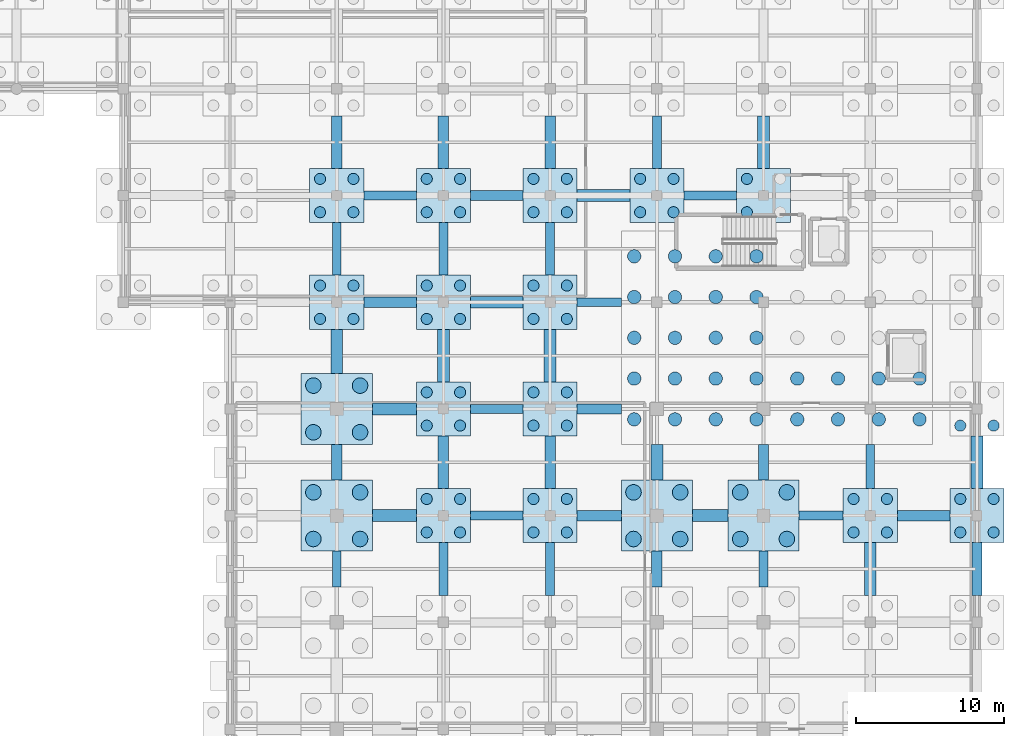
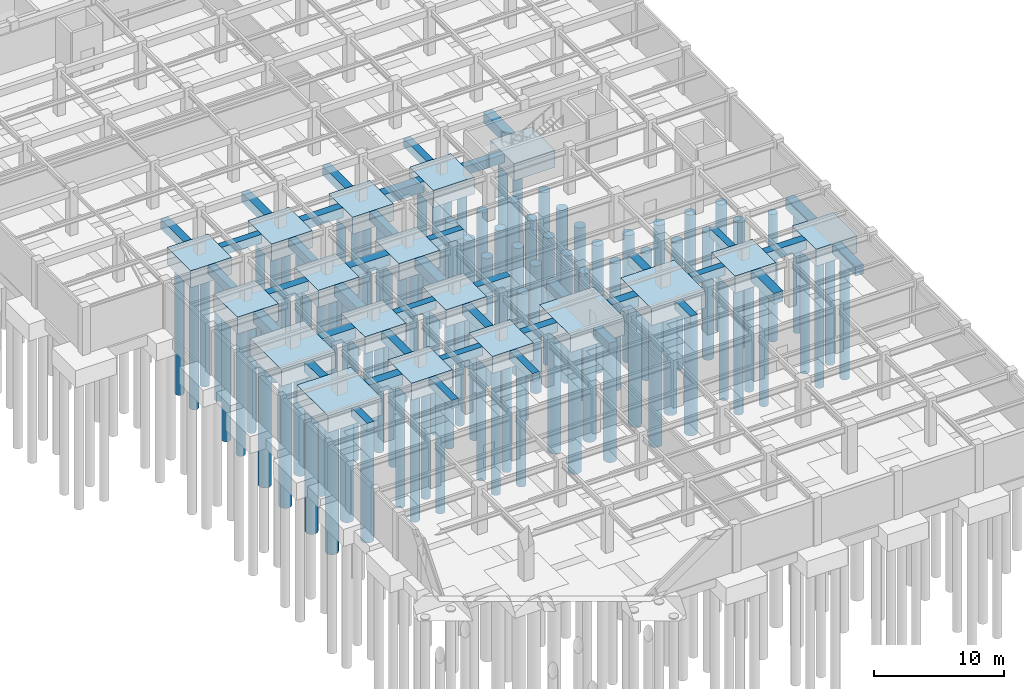
# One storey, part 10 of 48: 100 piles, 59 footings.
"""IFC4 building model written with IfcOpenShell, lengths in metres."""

from ifc_helpers import new_model, si_unit, direction, frame, origin, origin_2d, place, context, subcontext, project, spatial, rectangle, circle, extrude, material, material_profile, profile_set, type_object, element, save


model = new_model("IFC4")

# Units and contexts
model_context = context("Model", 3, precision=1e-05, world=origin(), true_north=direction((0.0, 1.0)))
body_context = subcontext(model_context, "Body", "Model", "MODEL_VIEW")
ifc_project = project(units=[si_unit("LENGTHUNIT", "METRE"), si_unit("AREAUNIT", "SQUARE_METRE"), si_unit("VOLUMEUNIT", "CUBIC_METRE"), si_unit("PLANEANGLEUNIT", "RADIAN"), si_unit("MASSUNIT", "GRAM", prefix="KILO")], contexts=[model_context])

# Site, building, storey
site_placement = place(None, origin())
site = spatial("IfcSite", under=ifc_project, at=site_placement, CompositionType="ELEMENT")
building_placement = place(site_placement, origin())
building = spatial("IfcBuilding", under=site, at=building_placement, Name="Carrowvane Square Congress Hotel", CompositionType="ELEMENT")
storey_placement = place(building_placement, frame((0.0, 0.0, -4.5)))
storey = spatial("IfcBuildingStorey", under=building, at=storey_placement, Name="B01", CompositionType="ELEMENT", Elevation=-4.5)

# Footings
ifc_material_1 = material(Name="Concrete C35/45", Category="concrete")
ifc_material_profile_1 = material_profile(ifc_material_1, rectangle(XDim=0.60009765625, YDim=0.800048828125, at=origin_2d()), Name="RC 600x800")
ifc_profile_set_1 = profile_set([ifc_material_profile_1], Name="Concrete C35/45")
footing_type_1 = type_object("IfcFootingType", Name="FTG-BM-600x800", PredefinedType="FOOTING_BEAM", material=ifc_profile_set_1)
footing_1_placement = place(storey_placement, frame((141.199951171875, 36.60009765625, -0.39990234375), z_axis=(0.0, 1.0, 0.0), x_axis=(-1.0, 0.0, 0.0)))
element("IfcFooting", 1, at=footing_1_placement, inside=storey, type_object=footing_type_1, Name="Ground tie beam 160", PredefinedType="FOOTING_BEAM", context=body_context, shape_type="SweptSolid", body=[
    extrude(rectangle(XDim=0.60009765625, YDim=0.800048828125, at=origin_2d()), origin(), (0.0, 0.0, 1.0), 2.39990234375),
])
for number, where, z_axis, x_axis, name in (
    (2, (141.199951171875, 57.625, -0.39990234375), (0.0, 1.0, 0.0), (-1.0, 0.0, 0.0), "Ground tie beam 163"),
    (3, (148.39990234375, 36.02490234375, -0.39990234375), (0.0, 1.0, 0.0), (-1.0, 0.0, 0.0), "Ground tie beam 174"),
    (4, (148.39990234375, 57.625, -0.39990234375), (0.0, 1.0, 0.0), (-1.0, 0.0, 0.0), "Ground tie beam 177"),
    (5, (155.60009765625, 36.02490234375, -0.39990234375), (0.0, 1.0, 0.0), (-1.0, 0.0, 0.0), "Ground tie beam 188"),
    (6, (155.60009765625, 57.625, -0.39990234375), (0.0, 1.0, 0.0), (-1.0, 0.0, 0.0), "Ground tie beam 191"),
    (7, (162.800048828125, 64.824951171875, -0.39990234375), (0.0, 1.0, 0.0), (-1.0, 0.0, 0.0), "Ground tie beam 205"),
):
    element("IfcFooting", number, at=place(storey_placement, frame(where, z_axis=z_axis, x_axis=x_axis)), inside=storey, type_object=footing_type_1, Name=name, PredefinedType="FOOTING_BEAM", context=body_context, shape_type="SweptSolid", body=[
        extrude(rectangle(XDim=0.60009765625, YDim=0.800048828125, at=origin_2d()), origin(), (0.0, 0.0, 1.0), 3.550048828125),
    ])
footing_2_placement = place(storey_placement, frame((170.0, 36.60009765625, -0.39990234375), z_axis=(0.0, 1.0, 0.0), x_axis=(-1.0, 0.0, 0.0)))
element("IfcFooting", 8, at=footing_2_placement, inside=storey, type_object=footing_type_1, Name="Ground tie beam 216", PredefinedType="FOOTING_BEAM", context=body_context, shape_type="SweptSolid", body=[
    extrude(rectangle(XDim=0.60009765625, YDim=0.800048828125, at=origin_2d()), origin(), (0.0, 0.0, 1.0), 2.39990234375),
])
footing_3_placement = place(storey_placement, frame((177.199951171875, 43.22509765625, -0.39990234375), z_axis=(0.0, 1.0, 0.0), x_axis=(-1.0, 0.0, 0.0)))
element("IfcFooting", 9, at=footing_3_placement, inside=storey, type_object=footing_type_1, Name="Ground tie beam 227", PredefinedType="FOOTING_BEAM", context=body_context, shape_type="SweptSolid", body=[
    extrude(rectangle(XDim=0.60009765625, YDim=0.800048828125, at=origin_2d()), origin(), (0.0, 0.0, 1.0), 2.974853515625),
])
footing_4_placement = place(storey_placement, frame((150.22509765625, 41.39990234375, -0.39990234375), z_axis=(1.0, 0.0, 0.0), x_axis=(0.0, 1.0, 0.0)))
element("IfcFooting", 10, at=footing_4_placement, inside=storey, type_object=footing_type_1, Name="Ground tie beam 323", PredefinedType="FOOTING_BEAM", context=body_context, shape_type="SweptSolid", body=[
    extrude(rectangle(XDim=0.60009765625, YDim=0.800048828125, at=origin_2d()), origin(), (0.0, 0.0, 1.0), 3.5498046875),
])
footing_5_placement = place(storey_placement, frame((172.39990234375, 41.39990234375, -0.39990234375), z_axis=(1.0, 0.0, 0.0), x_axis=(0.0, 1.0, 0.0)))
element("IfcFooting", 11, at=footing_5_placement, inside=storey, type_object=footing_type_1, Name="Ground tie beam 326", PredefinedType="FOOTING_BEAM", context=body_context, shape_type="SweptSolid", body=[
    extrude(rectangle(XDim=0.60009765625, YDim=0.800048828125, at=origin_2d()), origin(), (0.0, 0.0, 1.0), 2.97509765625),
])
footing_6_placement = place(storey_placement, frame((150.22509765625, 48.60009765625, -0.39990234375), z_axis=(1.0, 0.0, 0.0), x_axis=(0.0, 1.0, 0.0)))
element("IfcFooting", 12, at=footing_6_placement, inside=storey, type_object=footing_type_1, Name="Ground tie beam 337", PredefinedType="FOOTING_BEAM", context=body_context, shape_type="SweptSolid", body=[
    extrude(rectangle(XDim=0.60009765625, YDim=0.800048828125, at=origin_2d()), origin(), (0.0, 0.0, 1.0), 3.5498046875),
])
footing_7_placement = place(storey_placement, frame((157.425048828125, 55.800048828125, -0.39990234375), z_axis=(1.0, 0.0, 0.0), x_axis=(0.0, 1.0, 0.0)))
element("IfcFooting", 13, at=footing_7_placement, inside=storey, type_object=footing_type_1, Name="Ground tie beam 351", PredefinedType="FOOTING_BEAM", context=body_context, shape_type="SweptSolid", body=[
    extrude(rectangle(XDim=0.60009765625, YDim=0.800048828125, at=origin_2d()), origin(), (0.0, 0.0, 1.0), 2.974853515625),
])
for number, where, z_axis, x_axis, name in (
    (14, (143.02490234375, 63.0, -0.39990234375), (1.0, 0.0, 0.0), (0.0, 1.0, 0.0), "Ground tie beam 362"),
    (15, (164.625, 63.0, -0.39990234375), (1.0, 0.0, 0.0), (0.0, 1.0, 0.0), "Ground tie beam 365"),
):
    element("IfcFooting", number, at=place(storey_placement, frame(where, z_axis=z_axis, x_axis=x_axis)), inside=storey, type_object=footing_type_1, Name=name, PredefinedType="FOOTING_BEAM", context=body_context, shape_type="SweptSolid", body=[
        extrude(rectangle(XDim=0.60009765625, YDim=0.800048828125, at=origin_2d()), origin(), (0.0, 0.0, 1.0), 3.550048828125),
    ])
ifc_material_2 = material(Name="Concrete C35/45", Category="concrete")
ifc_material_profile_2 = material_profile(ifc_material_2, rectangle(XDim=0.699951171875, YDim=0.89990234375, at=origin_2d()), Name="RC 700x900")
ifc_profile_set_2 = profile_set([ifc_material_profile_2], Name="Concrete C35/45")
footing_type_2 = type_object("IfcFootingType", Name="FTG-BM-700x900", PredefinedType="FOOTING_BEAM", material=ifc_profile_set_2)
footing_8_placement = place(storey_placement, frame((141.199951171875, 43.800048828125, -0.449951171875), z_axis=(0.0, 1.0, 0.0), x_axis=(-1.0, 0.0, 0.0)))
element("IfcFooting", 16, at=footing_8_placement, inside=storey, type_object=footing_type_2, Name="Ground tie beam 161", PredefinedType="FOOTING_BEAM", context=body_context, shape_type="SweptSolid", body=[
    extrude(rectangle(XDim=0.699951171875, YDim=0.89990234375, at=origin_2d()), origin(), (0.0, 0.0, 1.0), 2.39990234375),
])
footing_9_placement = place(storey_placement, frame((141.199951171875, 64.824951171875, -0.449951171875), z_axis=(0.0, 1.0, 0.0), x_axis=(-1.0, 0.0, 0.0)))
element("IfcFooting", 17, at=footing_9_placement, inside=storey, type_object=footing_type_2, Name="Ground tie beam 164", PredefinedType="FOOTING_BEAM", context=body_context, shape_type="SweptSolid", body=[
    extrude(rectangle(XDim=0.699951171875, YDim=0.89990234375, at=origin_2d()), origin(), (0.0, 0.0, 1.0), 3.550048828125),
])
footing_10_placement = place(storey_placement, frame((148.39990234375, 43.22509765625, -0.449951171875), z_axis=(0.0, 1.0, 0.0), x_axis=(-1.0, 0.0, 0.0)))
element("IfcFooting", 18, at=footing_10_placement, inside=storey, type_object=footing_type_2, Name="Ground tie beam 175", PredefinedType="FOOTING_BEAM", context=body_context, shape_type="SweptSolid", body=[
    extrude(rectangle(XDim=0.699951171875, YDim=0.89990234375, at=origin_2d()), origin(), (0.0, 0.0, 1.0), 3.5498046875),
])
footing_11_placement = place(storey_placement, frame((148.39990234375, 64.824951171875, -0.449951171875), z_axis=(0.0, 1.0, 0.0), x_axis=(-1.0, 0.0, 0.0)))
element("IfcFooting", 19, at=footing_11_placement, inside=storey, type_object=footing_type_2, Name="Ground tie beam 178", PredefinedType="FOOTING_BEAM", context=body_context, shape_type="SweptSolid", body=[
    extrude(rectangle(XDim=0.699951171875, YDim=0.89990234375, at=origin_2d()), origin(), (0.0, 0.0, 1.0), 3.550048828125),
])
footing_12_placement = place(storey_placement, frame((155.60009765625, 43.22509765625, -0.449951171875), z_axis=(0.0, 1.0, 0.0), x_axis=(-1.0, 0.0, 0.0)))
element("IfcFooting", 20, at=footing_12_placement, inside=storey, type_object=footing_type_2, Name="Ground tie beam 189", PredefinedType="FOOTING_BEAM", context=body_context, shape_type="SweptSolid", body=[
    extrude(rectangle(XDim=0.699951171875, YDim=0.89990234375, at=origin_2d()), origin(), (0.0, 0.0, 1.0), 3.5498046875),
])
footing_13_placement = place(storey_placement, frame((155.60009765625, 64.824951171875, -0.449951171875), z_axis=(0.0, 1.0, 0.0), x_axis=(-1.0, 0.0, 0.0)))
element("IfcFooting", 21, at=footing_13_placement, inside=storey, type_object=footing_type_2, Name="Ground tie beam 192", PredefinedType="FOOTING_BEAM", context=body_context, shape_type="SweptSolid", body=[
    extrude(rectangle(XDim=0.699951171875, YDim=0.89990234375, at=origin_2d()), origin(), (0.0, 0.0, 1.0), 3.550048828125),
])
for number, where, z_axis, x_axis, name in (
    (22, (162.800048828125, 36.60009765625, -0.449951171875), (0.0, 1.0, 0.0), (-1.0, 0.0, 0.0), "Ground tie beam 203"),
    (23, (170.0, 43.800048828125, -0.449951171875), (0.0, 1.0, 0.0), (-1.0, 0.0, 0.0), "Ground tie beam 217"),
):
    element("IfcFooting", number, at=place(storey_placement, frame(where, z_axis=z_axis, x_axis=x_axis)), inside=storey, type_object=footing_type_2, Name=name, PredefinedType="FOOTING_BEAM", context=body_context, shape_type="SweptSolid", body=[
        extrude(rectangle(XDim=0.699951171875, YDim=0.89990234375, at=origin_2d()), origin(), (0.0, 0.0, 1.0), 2.39990234375),
    ])
footing_14_placement = place(storey_placement, frame((184.39990234375, 36.02490234375, -0.449951171875), z_axis=(0.0, 1.0, 0.0), x_axis=(-1.0, 0.0, 0.0)))
element("IfcFooting", 24, at=footing_14_placement, inside=storey, type_object=footing_type_2, Name="Ground tie beam 236", PredefinedType="FOOTING_BEAM", context=body_context, shape_type="SweptSolid", body=[
    extrude(rectangle(XDim=0.699951171875, YDim=0.89990234375, at=origin_2d()), origin(), (0.0, 0.0, 1.0), 3.550048828125),
])
footing_15_placement = place(storey_placement, frame((157.425048828125, 41.39990234375, -0.449951171875), z_axis=(1.0, 0.0, 0.0), x_axis=(0.0, 1.0, 0.0)))
element("IfcFooting", 25, at=footing_15_placement, inside=storey, type_object=footing_type_2, Name="Ground tie beam 324", PredefinedType="FOOTING_BEAM", context=body_context, shape_type="SweptSolid", body=[
    extrude(rectangle(XDim=0.699951171875, YDim=0.89990234375, at=origin_2d()), origin(), (0.0, 0.0, 1.0), 2.974853515625),
])
footing_16_placement = place(storey_placement, frame((179.02490234375, 41.39990234375, -0.449951171875), z_axis=(1.0, 0.0, 0.0), x_axis=(0.0, 1.0, 0.0)))
element("IfcFooting", 26, at=footing_16_placement, inside=storey, type_object=footing_type_2, Name="Ground tie beam 327", PredefinedType="FOOTING_BEAM", context=body_context, shape_type="SweptSolid", body=[
    extrude(rectangle(XDim=0.699951171875, YDim=0.89990234375, at=origin_2d()), origin(), (0.0, 0.0, 1.0), 3.550048828125),
])
footing_17_placement = place(storey_placement, frame((157.425048828125, 48.60009765625, -0.449951171875), z_axis=(1.0, 0.0, 0.0), x_axis=(0.0, 1.0, 0.0)))
element("IfcFooting", 27, at=footing_17_placement, inside=storey, type_object=footing_type_2, Name="Ground tie beam 338", PredefinedType="FOOTING_BEAM", context=body_context, shape_type="SweptSolid", body=[
    extrude(rectangle(XDim=0.699951171875, YDim=0.89990234375, at=origin_2d()), origin(), (0.0, 0.0, 1.0), 2.974853515625),
])
footing_18_placement = place(storey_placement, frame((143.02490234375, 55.800048828125, -0.449951171875), z_axis=(1.0, 0.0, 0.0), x_axis=(0.0, 1.0, 0.0)))
element("IfcFooting", 28, at=footing_18_placement, inside=storey, type_object=footing_type_2, Name="Ground tie beam 349", PredefinedType="FOOTING_BEAM", context=body_context, shape_type="SweptSolid", body=[
    extrude(rectangle(XDim=0.699951171875, YDim=0.89990234375, at=origin_2d()), origin(), (0.0, 0.0, 1.0), 3.550048828125),
])
footing_19_placement = place(storey_placement, frame((150.22509765625, 63.0, -0.449951171875), z_axis=(1.0, 0.0, 0.0), x_axis=(0.0, 1.0, 0.0)))
element("IfcFooting", 29, at=footing_19_placement, inside=storey, type_object=footing_type_2, Name="Ground tie beam 363", PredefinedType="FOOTING_BEAM", context=body_context, shape_type="SweptSolid", body=[
    extrude(rectangle(XDim=0.699951171875, YDim=0.89990234375, at=origin_2d()), origin(), (0.0, 0.0, 1.0), 3.5498046875),
])
ifc_material_3 = material(Name="Concrete C35/45", Category="concrete")
ifc_material_profile_3 = material_profile(ifc_material_3, rectangle(XDim=0.800048828125, YDim=1.0, at=origin_2d()), Name="RC 800x1000")
ifc_profile_set_3 = profile_set([ifc_material_profile_3], Name="Concrete C35/45")
footing_type_3 = type_object("IfcFootingType", Name="FTG-BM-800x1000", PredefinedType="FOOTING_BEAM", material=ifc_profile_set_3)
footing_20_placement = place(storey_placement, frame((141.199951171875, 51.0, -0.5), z_axis=(0.0, 1.0, 0.0), x_axis=(-1.0, 0.0, 0.0)))
element("IfcFooting", 30, at=footing_20_placement, inside=storey, type_object=footing_type_3, Name="Ground tie beam 162", PredefinedType="FOOTING_BEAM", context=body_context, shape_type="SweptSolid", body=[
    extrude(rectangle(XDim=0.800048828125, YDim=1.0, at=origin_2d()), origin(), (0.0, 0.0, 1.0), 2.97509765625),
])
for number, where, z_axis, x_axis, name in (
    (31, (148.39990234375, 50.425048828125, -0.5), (0.0, 1.0, 0.0), (-1.0, 0.0, 0.0), "Ground tie beam 176"),
    (32, (155.60009765625, 50.425048828125, -0.5), (0.0, 1.0, 0.0), (-1.0, 0.0, 0.0), "Ground tie beam 190"),
):
    element("IfcFooting", number, at=place(storey_placement, frame(where, z_axis=z_axis, x_axis=x_axis)), inside=storey, type_object=footing_type_3, Name=name, PredefinedType="FOOTING_BEAM", context=body_context, shape_type="SweptSolid", body=[
        extrude(rectangle(XDim=0.800048828125, YDim=1.0, at=origin_2d()), origin(), (0.0, 0.0, 1.0), 3.550048828125),
    ])
footing_21_placement = place(storey_placement, frame((162.800048828125, 43.800048828125, -0.5), z_axis=(0.0, 1.0, 0.0), x_axis=(-1.0, 0.0, 0.0)))
element("IfcFooting", 33, at=footing_21_placement, inside=storey, type_object=footing_type_3, Name="Ground tie beam 204", PredefinedType="FOOTING_BEAM", context=body_context, shape_type="SweptSolid", body=[
    extrude(rectangle(XDim=0.800048828125, YDim=1.0, at=origin_2d()), origin(), (0.0, 0.0, 1.0), 2.39990234375),
])
for number, where, z_axis, x_axis, name in (
    (34, (170.0, 64.824951171875, -0.5), (0.0, 1.0, 0.0), (-1.0, 0.0, 0.0), "Ground tie beam 218"),
    (35, (177.199951171875, 36.02490234375, -0.5), (0.0, 1.0, 0.0), (-1.0, 0.0, 0.0), "Ground tie beam 226"),
):
    element("IfcFooting", number, at=place(storey_placement, frame(where, z_axis=z_axis, x_axis=x_axis)), inside=storey, type_object=footing_type_3, Name=name, PredefinedType="FOOTING_BEAM", context=body_context, shape_type="SweptSolid", body=[
        extrude(rectangle(XDim=0.800048828125, YDim=1.0, at=origin_2d()), origin(), (0.0, 0.0, 1.0), 3.550048828125),
    ])
footing_22_placement = place(storey_placement, frame((184.39990234375, 43.22509765625, -0.5), z_axis=(0.0, 1.0, 0.0), x_axis=(-1.0, 0.0, 0.0)))
element("IfcFooting", 36, at=footing_22_placement, inside=storey, type_object=footing_type_3, Name="Ground tie beam 237", PredefinedType="FOOTING_BEAM", context=body_context, shape_type="SweptSolid", body=[
    extrude(rectangle(XDim=0.800048828125, YDim=1.0, at=origin_2d()), origin(), (0.0, 0.0, 1.0), 3.5498046875),
])
footing_23_placement = place(storey_placement, frame((143.60009765625, 41.39990234375, -0.5), z_axis=(1.0, 0.0, 0.0), x_axis=(0.0, 1.0, 0.0)))
element("IfcFooting", 37, at=footing_23_placement, inside=storey, type_object=footing_type_3, Name="Ground tie beam 322", PredefinedType="FOOTING_BEAM", context=body_context, shape_type="SweptSolid", body=[
    extrude(rectangle(XDim=0.800048828125, YDim=1.0, at=origin_2d()), origin(), (0.0, 0.0, 1.0), 2.974853515625),
])
footing_24_placement = place(storey_placement, frame((165.199951171875, 41.39990234375, -0.5), z_axis=(1.0, 0.0, 0.0), x_axis=(0.0, 1.0, 0.0)))
element("IfcFooting", 38, at=footing_24_placement, inside=storey, type_object=footing_type_3, Name="Ground tie beam 325", PredefinedType="FOOTING_BEAM", context=body_context, shape_type="SweptSolid", body=[
    extrude(rectangle(XDim=0.800048828125, YDim=1.0, at=origin_2d()), origin(), (0.0, 0.0, 1.0), 2.400146484375),
])
footing_25_placement = place(storey_placement, frame((143.60009765625, 48.60009765625, -0.5), z_axis=(1.0, 0.0, 0.0), x_axis=(0.0, 1.0, 0.0)))
element("IfcFooting", 39, at=footing_25_placement, inside=storey, type_object=footing_type_3, Name="Ground tie beam 336", PredefinedType="FOOTING_BEAM", context=body_context, shape_type="SweptSolid", body=[
    extrude(rectangle(XDim=0.800048828125, YDim=1.0, at=origin_2d()), origin(), (0.0, 0.0, 1.0), 2.974853515625),
])
footing_26_placement = place(storey_placement, frame((150.22509765625, 55.800048828125, -0.5), z_axis=(1.0, 0.0, 0.0), x_axis=(0.0, 1.0, 0.0)))
element("IfcFooting", 40, at=footing_26_placement, inside=storey, type_object=footing_type_3, Name="Ground tie beam 350", PredefinedType="FOOTING_BEAM", context=body_context, shape_type="SweptSolid", body=[
    extrude(rectangle(XDim=0.800048828125, YDim=1.0, at=origin_2d()), origin(), (0.0, 0.0, 1.0), 3.5498046875),
])
footing_27_placement = place(storey_placement, frame((157.425048828125, 63.0, -0.5), z_axis=(1.0, 0.0, 0.0), x_axis=(0.0, 1.0, 0.0)))
element("IfcFooting", 41, at=footing_27_placement, inside=storey, type_object=footing_type_3, Name="Ground tie beam 364", PredefinedType="FOOTING_BEAM", context=body_context, shape_type="SweptSolid", body=[
    extrude(rectangle(XDim=0.800048828125, YDim=1.0, at=origin_2d()), origin(), (0.0, 0.0, 1.0), 3.550048828125),
])
ifc_material_4 = material(Name="Concrete C35/45", Category="concrete")
footing_type_4 = type_object("IfcFootingType", Name="FTG-PC-01", PredefinedType="PILE_CAP", material=ifc_material_4)
for number, where, z_axis, x_axis, name in (
    (42, (141.199951171875, 41.39990234375, -1.60009765625), (0.0, 0.0, 1.0), (1.0, 0.0, 0.0), "B01 PC-1 83"),
    (43, (162.800048828125, 41.39990234375, -1.60009765625), (0.0, 0.0, 1.0), (1.0, 0.0, 0.0), "B01 PC-1 84"),
    (44, (170.0, 41.39990234375, -1.60009765625), (0.0, 0.0, 1.0), (1.0, 0.0, 0.0), "B01 PC-1 85"),
    (45, (141.199951171875, 48.60009765625, -1.60009765625), (0.0, 0.0, 1.0), (1.0, 0.0, 0.0), "B01 PC-1 99"),
):
    element("IfcFooting", number, at=place(storey_placement, frame(where, z_axis=z_axis, x_axis=x_axis)), inside=storey, type_object=footing_type_4, Name=name, PredefinedType="PILE_CAP", context=body_context, shape_type="SweptSolid", body=[
        extrude(rectangle(XDim=4.800048828125, YDim=4.800048828125, at=origin_2d()), origin(), (0.0, 0.0, 1.0), 1.60009765625),
    ])
ifc_material_5 = material(Name="Concrete C35/45", Category="concrete")
footing_type_5 = type_object("IfcFootingType", Name="FTG-PC-02", PredefinedType="PILE_CAP", material=ifc_material_5)
for number, where, z_axis, x_axis, name in (
    (46, (148.39990234375, 41.39990234375, -1.60009765625), (0.0, 0.0, 1.0), (1.0, 0.0, 0.0), "B01 PC-2 93"),
    (47, (155.60009765625, 41.39990234375, -1.60009765625), (0.0, 0.0, 1.0), (1.0, 0.0, 0.0), "B01 PC-2 94"),
    (48, (177.199951171875, 41.39990234375, -1.60009765625), (0.0, 0.0, 1.0), (1.0, 0.0, 0.0), "B01 PC-2 95"),
    (49, (184.39990234375, 41.39990234375, -1.60009765625), (0.0, 0.0, 1.0), (1.0, 0.0, 0.0), "B01 PC-2 96"),
    (50, (148.39990234375, 48.60009765625, -1.60009765625), (0.0, 0.0, 1.0), (1.0, 0.0, 0.0), "B01 PC-2 108"),
    (51, (155.60009765625, 48.60009765625, -1.60009765625), (0.0, 0.0, 1.0), (1.0, 0.0, 0.0), "B01 PC-2 109"),
    (52, (141.199951171875, 55.800048828125, -1.60009765625), (0.0, 0.0, 1.0), (1.0, 0.0, 0.0), "B01 PC-2 122"),
    (53, (148.39990234375, 55.800048828125, -1.60009765625), (0.0, 0.0, 1.0), (1.0, 0.0, 0.0), "B01 PC-2 123"),
    (54, (155.60009765625, 55.800048828125, -1.60009765625), (0.0, 0.0, 1.0), (1.0, 0.0, 0.0), "B01 PC-2 124"),
    (55, (141.199951171875, 63.0, -1.60009765625), (0.0, 0.0, 1.0), (1.0, 0.0, 0.0), "B01 PC-2 137"),
    (56, (148.39990234375, 63.0, -1.60009765625), (0.0, 0.0, 1.0), (1.0, 0.0, 0.0), "B01 PC-2 138"),
    (57, (155.60009765625, 63.0, -1.60009765625), (0.0, 0.0, 1.0), (1.0, 0.0, 0.0), "B01 PC-2 139"),
    (58, (162.800048828125, 63.0, -1.60009765625), (0.0, 0.0, 1.0), (1.0, 0.0, 0.0), "B01 PC-2 140"),
    (59, (170.0, 63.0, -1.60009765625), (0.0, 0.0, 1.0), (1.0, 0.0, 0.0), "B01 PC-2 141"),
):
    element("IfcFooting", number, at=place(storey_placement, frame(where, z_axis=z_axis, x_axis=x_axis)), inside=storey, type_object=footing_type_5, Name=name, PredefinedType="PILE_CAP", context=body_context, shape_type="SweptSolid", body=[
        extrude(rectangle(XDim=3.64990234375, YDim=3.64990234375, at=origin_2d()), origin(), (0.0, 0.0, 1.0), 1.60009765625),
    ])

# Piles
ifc_material_6 = material(Name="Concrete C35/45", Category="concrete")
ifc_material_profile_4 = material_profile(ifc_material_6, circle(Radius=0.52490234375, at=origin_2d()), Name="PILE D1050")
ifc_profile_set_4 = profile_set([ifc_material_profile_4], Name="Concrete C35/45")
pile_type_1 = type_object("IfcPileType", Name="PILE-B-1050", PredefinedType="BORED", material=ifc_profile_set_4)
for number, where, z_axis, x_axis, name in (
    (60, (139.625, 39.824951171875, -1.5), (0.0, 0.0, -1.0), (1.0, 0.0, 0.0), "Bored pile P-3-0329"),
    (61, (139.625, 42.97509765625, -1.5), (0.0, 0.0, -1.0), (1.0, 0.0, 0.0), "Bored pile P-3-0330"),
    (62, (142.77490234375, 39.824951171875, -1.5), (0.0, 0.0, -1.0), (1.0, 0.0, 0.0), "Bored pile P-3-0331"),
    (63, (142.77490234375, 42.97509765625, -1.5), (0.0, 0.0, -1.0), (1.0, 0.0, 0.0), "Bored pile P-3-0332"),
    (64, (161.22509765625, 39.824951171875, -1.5), (0.0, 0.0, -1.0), (1.0, 0.0, 0.0), "Bored pile P-3-0333"),
    (65, (161.22509765625, 42.97509765625, -1.5), (0.0, 0.0, -1.0), (1.0, 0.0, 0.0), "Bored pile P-3-0334"),
    (66, (164.375, 39.824951171875, -1.5), (0.0, 0.0, -1.0), (1.0, 0.0, 0.0), "Bored pile P-3-0335"),
    (67, (164.375, 42.97509765625, -1.5), (0.0, 0.0, -1.0), (1.0, 0.0, 0.0), "Bored pile P-3-0336"),
    (68, (168.425048828125, 39.824951171875, -1.5), (0.0, 0.0, -1.0), (1.0, 0.0, 0.0), "Bored pile P-3-0337"),
    (69, (168.425048828125, 42.97509765625, -1.5), (0.0, 0.0, -1.0), (1.0, 0.0, 0.0), "Bored pile P-3-0338"),
    (70, (171.574951171875, 39.824951171875, -1.5), (0.0, 0.0, -1.0), (1.0, 0.0, 0.0), "Bored pile P-3-0339"),
    (71, (171.574951171875, 42.97509765625, -1.5), (0.0, 0.0, -1.0), (1.0, 0.0, 0.0), "Bored pile P-3-0340"),
    (72, (139.625, 47.02490234375, -1.5), (0.0, 0.0, -1.0), (1.0, 0.0, 0.0), "Bored pile P-3-0393"),
    (73, (139.625, 50.175048828125, -1.5), (0.0, 0.0, -1.0), (1.0, 0.0, 0.0), "Bored pile P-3-0394"),
    (74, (142.77490234375, 47.02490234375, -1.5), (0.0, 0.0, -1.0), (1.0, 0.0, 0.0), "Bored pile P-3-0395"),
    (75, (142.77490234375, 50.175048828125, -1.5), (0.0, 0.0, -1.0), (1.0, 0.0, 0.0), "Bored pile P-3-0396"),
):
    element("IfcPile", number, at=place(storey_placement, frame(where, z_axis=z_axis, x_axis=x_axis)), inside=storey, type_object=pile_type_1, Name=name, PredefinedType="BORED", context=body_context, shape_type="SweptSolid", body=[
        extrude(circle(Radius=0.52490234375, at=origin_2d()), origin(), (0.0, 0.0, 1.0), 12.0),
    ])
ifc_material_7 = material(Name="Concrete C35/45", Category="concrete")
ifc_material_profile_5 = material_profile(ifc_material_7, circle(Radius=0.375, at=origin_2d()), Name="PILE D750")
ifc_profile_set_5 = profile_set([ifc_material_profile_5], Name="Concrete C35/45")
pile_type_2 = type_object("IfcPileType", Name="PILE-B-750", PredefinedType="BORED", material=ifc_profile_set_5)
for number, where, z_axis, x_axis, name in (
    (76, (147.27490234375, 40.27490234375, -1.5), (0.0, 0.0, -1.0), (1.0, 0.0, 0.0), "Bored pile P-1-0369"),
    (77, (147.27490234375, 42.52490234375, -1.5), (0.0, 0.0, -1.0), (1.0, 0.0, 0.0), "Bored pile P-1-0370"),
    (78, (149.52490234375, 40.27490234375, -1.5), (0.0, 0.0, -1.0), (1.0, 0.0, 0.0), "Bored pile P-1-0371"),
    (79, (149.52490234375, 42.52490234375, -1.5), (0.0, 0.0, -1.0), (1.0, 0.0, 0.0), "Bored pile P-1-0372"),
    (80, (154.47509765625, 40.27490234375, -1.5), (0.0, 0.0, -1.0), (1.0, 0.0, 0.0), "Bored pile P-1-0373"),
    (81, (154.47509765625, 42.52490234375, -1.5), (0.0, 0.0, -1.0), (1.0, 0.0, 0.0), "Bored pile P-1-0374"),
    (82, (156.72509765625, 40.27490234375, -1.5), (0.0, 0.0, -1.0), (1.0, 0.0, 0.0), "Bored pile P-1-0375"),
    (83, (156.72509765625, 42.52490234375, -1.5), (0.0, 0.0, -1.0), (1.0, 0.0, 0.0), "Bored pile P-1-0376"),
    (84, (176.074951171875, 40.27490234375, -1.5), (0.0, 0.0, -1.0), (1.0, 0.0, 0.0), "Bored pile P-1-0377"),
    (85, (176.074951171875, 42.52490234375, -1.5), (0.0, 0.0, -1.0), (1.0, 0.0, 0.0), "Bored pile P-1-0378"),
    (86, (178.324951171875, 40.27490234375, -1.5), (0.0, 0.0, -1.0), (1.0, 0.0, 0.0), "Bored pile P-1-0379"),
    (87, (178.324951171875, 42.52490234375, -1.5), (0.0, 0.0, -1.0), (1.0, 0.0, 0.0), "Bored pile P-1-0380"),
    (88, (183.27490234375, 40.27490234375, -1.5), (0.0, 0.0, -1.0), (1.0, 0.0, 0.0), "Bored pile P-1-0381"),
    (89, (183.27490234375, 42.52490234375, -1.5), (0.0, 0.0, -1.0), (1.0, 0.0, 0.0), "Bored pile P-1-0382"),
    (90, (185.52490234375, 40.27490234375, -1.5), (0.0, 0.0, -1.0), (1.0, 0.0, 0.0), "Bored pile P-1-0383"),
    (91, (185.52490234375, 42.52490234375, -1.5), (0.0, 0.0, -1.0), (1.0, 0.0, 0.0), "Bored pile P-1-0384"),
    (92, (147.27490234375, 47.47509765625, -1.5), (0.0, 0.0, -1.0), (1.0, 0.0, 0.0), "Bored pile P-1-0465"),
    (93, (147.27490234375, 49.72509765625, -1.5), (0.0, 0.0, -1.0), (1.0, 0.0, 0.0), "Bored pile P-1-0466"),
    (94, (149.52490234375, 47.47509765625, -1.5), (0.0, 0.0, -1.0), (1.0, 0.0, 0.0), "Bored pile P-1-0467"),
    (95, (149.52490234375, 49.72509765625, -1.5), (0.0, 0.0, -1.0), (1.0, 0.0, 0.0), "Bored pile P-1-0468"),
    (96, (154.47509765625, 47.47509765625, -1.5), (0.0, 0.0, -1.0), (1.0, 0.0, 0.0), "Bored pile P-1-0469"),
    (97, (154.47509765625, 49.72509765625, -1.5), (0.0, 0.0, -1.0), (1.0, 0.0, 0.0), "Bored pile P-1-0470"),
    (98, (156.72509765625, 47.47509765625, -1.5), (0.0, 0.0, -1.0), (1.0, 0.0, 0.0), "Bored pile P-1-0471"),
    (99, (156.72509765625, 49.72509765625, -1.5), (0.0, 0.0, -1.0), (1.0, 0.0, 0.0), "Bored pile P-1-0472"),
    (100, (183.27490234375, 47.47509765625, -1.5), (0.0, 0.0, -1.0), (1.0, 0.0, 0.0), "Bored pile P-1-0473"),
    (101, (185.52490234375, 47.47509765625, -1.5), (0.0, 0.0, -1.0), (1.0, 0.0, 0.0), "Bored pile P-1-0475"),
    (102, (140.074951171875, 54.675048828125, -1.5), (0.0, 0.0, -1.0), (1.0, 0.0, 0.0), "Bored pile P-1-0521"),
    (103, (140.074951171875, 56.925048828125, -1.5), (0.0, 0.0, -1.0), (1.0, 0.0, 0.0), "Bored pile P-1-0522"),
    (104, (142.324951171875, 54.675048828125, -1.5), (0.0, 0.0, -1.0), (1.0, 0.0, 0.0), "Bored pile P-1-0523"),
    (105, (142.324951171875, 56.925048828125, -1.5), (0.0, 0.0, -1.0), (1.0, 0.0, 0.0), "Bored pile P-1-0524"),
    (106, (147.27490234375, 54.675048828125, -1.5), (0.0, 0.0, -1.0), (1.0, 0.0, 0.0), "Bored pile P-1-0525"),
    (107, (147.27490234375, 56.925048828125, -1.5), (0.0, 0.0, -1.0), (1.0, 0.0, 0.0), "Bored pile P-1-0526"),
    (108, (149.52490234375, 54.675048828125, -1.5), (0.0, 0.0, -1.0), (1.0, 0.0, 0.0), "Bored pile P-1-0527"),
    (109, (149.52490234375, 56.925048828125, -1.5), (0.0, 0.0, -1.0), (1.0, 0.0, 0.0), "Bored pile P-1-0528"),
    (110, (154.47509765625, 54.675048828125, -1.5), (0.0, 0.0, -1.0), (1.0, 0.0, 0.0), "Bored pile P-1-0529"),
    (111, (154.47509765625, 56.925048828125, -1.5), (0.0, 0.0, -1.0), (1.0, 0.0, 0.0), "Bored pile P-1-0530"),
    (112, (156.72509765625, 54.675048828125, -1.5), (0.0, 0.0, -1.0), (1.0, 0.0, 0.0), "Bored pile P-1-0531"),
    (113, (156.72509765625, 56.925048828125, -1.5), (0.0, 0.0, -1.0), (1.0, 0.0, 0.0), "Bored pile P-1-0532"),
    (114, (140.074951171875, 61.875, -1.5), (0.0, 0.0, -1.0), (1.0, 0.0, 0.0), "Bored pile P-1-0581"),
    (115, (140.074951171875, 64.125, -1.5), (0.0, 0.0, -1.0), (1.0, 0.0, 0.0), "Bored pile P-1-0582"),
    (116, (142.324951171875, 61.875, -1.5), (0.0, 0.0, -1.0), (1.0, 0.0, 0.0), "Bored pile P-1-0583"),
    (117, (142.324951171875, 64.125, -1.5), (0.0, 0.0, -1.0), (1.0, 0.0, 0.0), "Bored pile P-1-0584"),
    (118, (147.27490234375, 61.875, -1.5), (0.0, 0.0, -1.0), (1.0, 0.0, 0.0), "Bored pile P-1-0585"),
    (119, (147.27490234375, 64.125, -1.5), (0.0, 0.0, -1.0), (1.0, 0.0, 0.0), "Bored pile P-1-0586"),
    (120, (149.52490234375, 61.875, -1.5), (0.0, 0.0, -1.0), (1.0, 0.0, 0.0), "Bored pile P-1-0587"),
    (121, (149.52490234375, 64.125, -1.5), (0.0, 0.0, -1.0), (1.0, 0.0, 0.0), "Bored pile P-1-0588"),
    (122, (154.47509765625, 61.875, -1.5), (0.0, 0.0, -1.0), (1.0, 0.0, 0.0), "Bored pile P-1-0589"),
    (123, (154.47509765625, 64.125, -1.5), (0.0, 0.0, -1.0), (1.0, 0.0, 0.0), "Bored pile P-1-0590"),
    (124, (156.72509765625, 61.875, -1.5), (0.0, 0.0, -1.0), (1.0, 0.0, 0.0), "Bored pile P-1-0591"),
    (125, (156.72509765625, 64.125, -1.5), (0.0, 0.0, -1.0), (1.0, 0.0, 0.0), "Bored pile P-1-0592"),
    (126, (161.675048828125, 61.875, -1.5), (0.0, 0.0, -1.0), (1.0, 0.0, 0.0), "Bored pile P-1-0593"),
    (127, (161.675048828125, 64.125, -1.5), (0.0, 0.0, -1.0), (1.0, 0.0, 0.0), "Bored pile P-1-0594"),
    (128, (163.925048828125, 61.875, -1.5), (0.0, 0.0, -1.0), (1.0, 0.0, 0.0), "Bored pile P-1-0595"),
    (129, (163.925048828125, 64.125, -1.5), (0.0, 0.0, -1.0), (1.0, 0.0, 0.0), "Bored pile P-1-0596"),
    (130, (168.875, 61.875, -1.5), (0.0, 0.0, -1.0), (1.0, 0.0, 0.0), "Bored pile P-1-0597"),
    (131, (168.875, 64.125, -1.5), (0.0, 0.0, -1.0), (1.0, 0.0, 0.0), "Bored pile P-1-0598"),
):
    element("IfcPile", number, at=place(storey_placement, frame(where, z_axis=z_axis, x_axis=x_axis)), inside=storey, type_object=pile_type_2, Name=name, PredefinedType="BORED", context=body_context, shape_type="SweptSolid", body=[
        extrude(circle(Radius=0.375, at=origin_2d()), origin(), (0.0, 0.0, 1.0), 12.0),
    ])
ifc_material_8 = material(Name="Concrete C35/45", Category="concrete")
ifc_material_profile_6 = material_profile(ifc_material_8, circle(Radius=0.449951171875, at=origin_2d()), Name="PILE D900")
ifc_profile_set_6 = profile_set([ifc_material_profile_6], Name="Concrete C35/45")
pile_type_3 = type_object("IfcPileType", Name="PILE-B-900", PredefinedType="BORED", material=ifc_profile_set_6)
for number, where, z_axis, x_axis, name in (
    (132, (161.27490234375, 47.89990234375, -1.5), (0.0, 0.0, -1.0), (1.0, 0.0, 0.0), "Bored pile P-2-0397"),
    (133, (161.27490234375, 50.64990234375, -1.5), (0.0, 0.0, -1.0), (1.0, 0.0, 0.0), "Bored pile P-2-0398"),
    (134, (161.27490234375, 53.39990234375, -1.5), (0.0, 0.0, -1.0), (1.0, 0.0, 0.0), "Bored pile P-2-0399"),
    (135, (161.27490234375, 56.14990234375, -1.5), (0.0, 0.0, -1.0), (1.0, 0.0, 0.0), "Bored pile P-2-0400"),
    (136, (161.27490234375, 58.89990234375, -1.5), (0.0, 0.0, -1.0), (1.0, 0.0, 0.0), "Bored pile P-2-0401"),
    (137, (164.02490234375, 47.89990234375, -1.5), (0.0, 0.0, -1.0), (1.0, 0.0, 0.0), "Bored pile P-2-0402"),
    (138, (164.02490234375, 50.64990234375, -1.5), (0.0, 0.0, -1.0), (1.0, 0.0, 0.0), "Bored pile P-2-0403"),
    (139, (164.02490234375, 53.39990234375, -1.5), (0.0, 0.0, -1.0), (1.0, 0.0, 0.0), "Bored pile P-2-0404"),
    (140, (164.02490234375, 56.14990234375, -1.5), (0.0, 0.0, -1.0), (1.0, 0.0, 0.0), "Bored pile P-2-0405"),
    (141, (164.02490234375, 58.89990234375, -1.5), (0.0, 0.0, -1.0), (1.0, 0.0, 0.0), "Bored pile P-2-0406"),
    (142, (166.77490234375, 47.89990234375, -1.5), (0.0, 0.0, -1.0), (1.0, 0.0, 0.0), "Bored pile P-2-0407"),
    (143, (166.77490234375, 50.64990234375, -1.5), (0.0, 0.0, -1.0), (1.0, 0.0, 0.0), "Bored pile P-2-0408"),
    (144, (166.77490234375, 53.39990234375, -1.5), (0.0, 0.0, -1.0), (1.0, 0.0, 0.0), "Bored pile P-2-0409"),
    (145, (166.77490234375, 56.14990234375, -1.5), (0.0, 0.0, -1.0), (1.0, 0.0, 0.0), "Bored pile P-2-0410"),
    (146, (166.77490234375, 58.89990234375, -1.5), (0.0, 0.0, -1.0), (1.0, 0.0, 0.0), "Bored pile P-2-0411"),
    (147, (169.52490234375, 47.89990234375, -1.5), (0.0, 0.0, -1.0), (1.0, 0.0, 0.0), "Bored pile P-2-0412"),
    (148, (169.52490234375, 50.64990234375, -1.5), (0.0, 0.0, -1.0), (1.0, 0.0, 0.0), "Bored pile P-2-0413"),
    (149, (169.52490234375, 53.39990234375, -1.5), (0.0, 0.0, -1.0), (1.0, 0.0, 0.0), "Bored pile P-2-0414"),
    (150, (169.52490234375, 56.14990234375, -1.5), (0.0, 0.0, -1.0), (1.0, 0.0, 0.0), "Bored pile P-2-0415"),
    (151, (169.52490234375, 58.89990234375, -1.5), (0.0, 0.0, -1.0), (1.0, 0.0, 0.0), "Bored pile P-2-0416"),
    (152, (172.27490234375, 47.89990234375, -1.5), (0.0, 0.0, -1.0), (1.0, 0.0, 0.0), "Bored pile P-2-0417"),
    (153, (172.27490234375, 50.64990234375, -1.5), (0.0, 0.0, -1.0), (1.0, 0.0, 0.0), "Bored pile P-2-0418"),
    (154, (175.02490234375, 47.89990234375, -1.5), (0.0, 0.0, -1.0), (1.0, 0.0, 0.0), "Bored pile P-2-0422"),
    (155, (175.02490234375, 50.64990234375, -1.5), (0.0, 0.0, -1.0), (1.0, 0.0, 0.0), "Bored pile P-2-0423"),
    (156, (177.77490234375, 47.89990234375, -1.5), (0.0, 0.0, -1.0), (1.0, 0.0, 0.0), "Bored pile P-2-0427"),
    (157, (177.77490234375, 50.64990234375, -1.5), (0.0, 0.0, -1.0), (1.0, 0.0, 0.0), "Bored pile P-2-0428"),
    (158, (180.52490234375, 47.89990234375, -1.5), (0.0, 0.0, -1.0), (1.0, 0.0, 0.0), "Bored pile P-2-0432"),
    (159, (180.52490234375, 50.64990234375, -1.5), (0.0, 0.0, -1.0), (1.0, 0.0, 0.0), "Bored pile P-2-0433"),
):
    element("IfcPile", number, at=place(storey_placement, frame(where, z_axis=z_axis, x_axis=x_axis)), inside=storey, type_object=pile_type_3, Name=name, PredefinedType="BORED", context=body_context, shape_type="SweptSolid", body=[
        extrude(circle(Radius=0.449951171875, at=origin_2d()), origin(), (0.0, 0.0, 1.0), 12.0),
    ])

save(model, "model.ifc")
